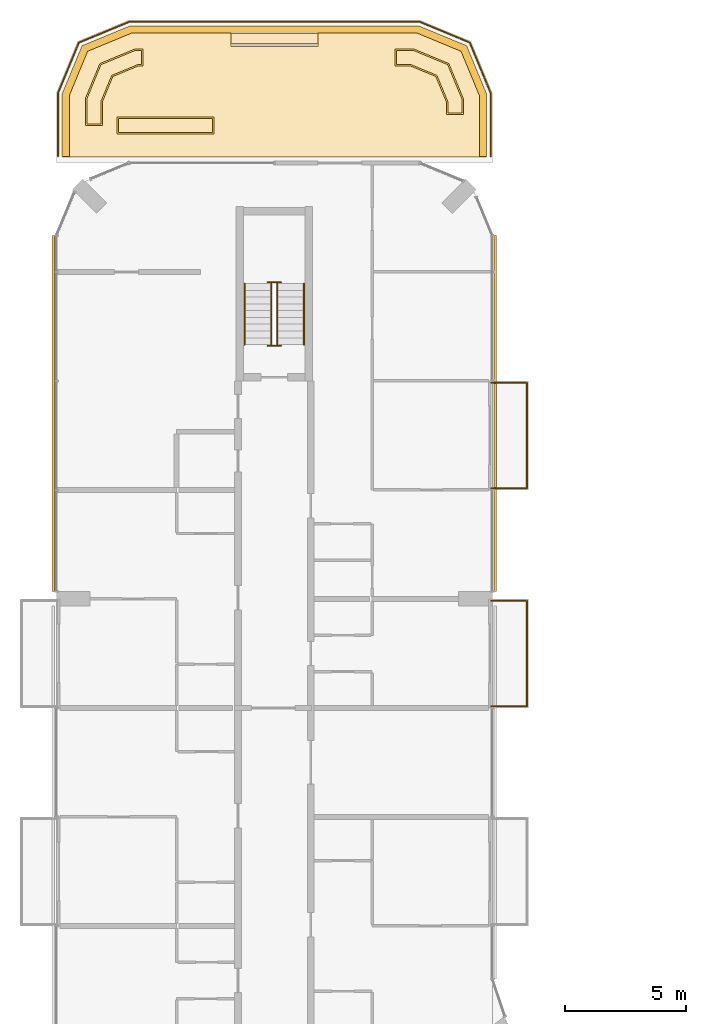
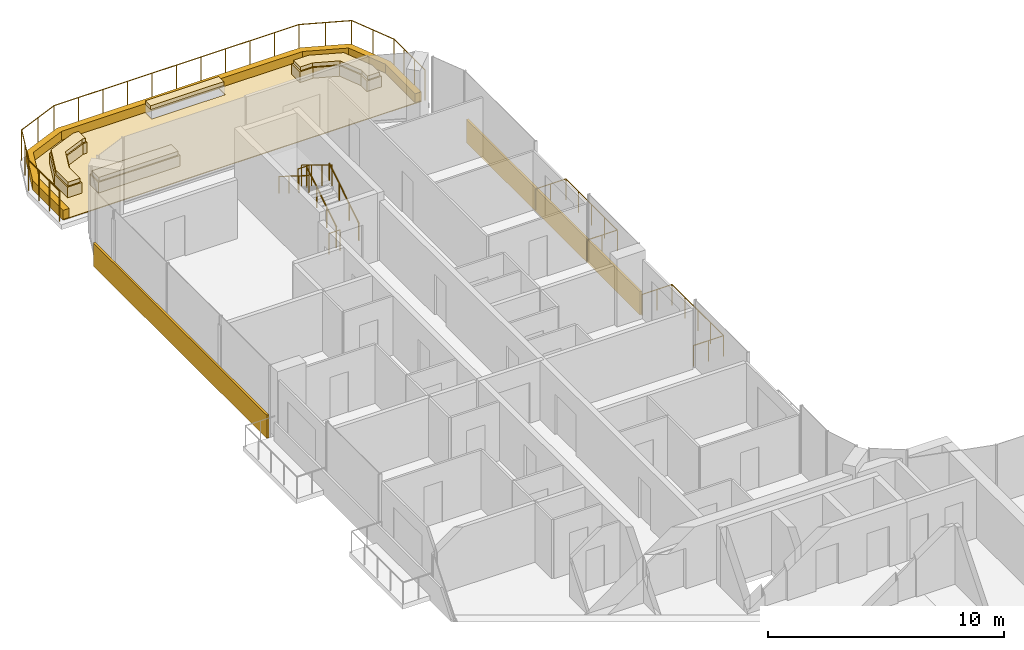
# One storey, part 17 of 17: 11 coverings, 9 railings.
"""IFC4 building model written with IfcOpenShell, lengths in metres."""

from ifc_helpers import new_model, si_unit, direction, frame, origin, origin_2d, place, context, subcontext, project, spatial, polyline, rectangle, circle, outline, extrude, material, layer, layer_set, type_object, element, save


model = new_model("IFC4")

# Units and contexts
model_context = context("Model", 3, precision=1e-05, world=origin(), true_north=direction((0.0, 1.0)))
body_context = subcontext(model_context, "Body", "Model", "MODEL_VIEW")
ifc_project = project(units=[si_unit("LENGTHUNIT", "METRE"), si_unit("AREAUNIT", "SQUARE_METRE"), si_unit("VOLUMEUNIT", "CUBIC_METRE"), si_unit("PLANEANGLEUNIT", "RADIAN"), si_unit("MASSUNIT", "GRAM", prefix="KILO")], contexts=[model_context])

# Site, building, storey
site_placement = place(None, origin())
site = spatial("IfcSite", under=ifc_project, at=site_placement, CompositionType="ELEMENT")
building_placement = place(site_placement, origin())
building = spatial("IfcBuilding", under=site, at=building_placement, Name="Plateau Cross Towers", CompositionType="ELEMENT")
storey_placement = place(building_placement, frame((0.0, 0.0, 225.89990234375)))
storey = spatial("IfcBuildingStorey", under=building, at=storey_placement, Name="L59", CompositionType="ELEMENT", Elevation=225.89990234375)

# Coverings
ifc_material_1 = material(Name="Porcelain paving slabs on pedestals")
ifc_layer_1 = layer(ifc_material_1, 0.0400390625)
ifc_layer_set_1 = layer_set([ifc_layer_1], Name="Porcelain paving slabs on pedestals")
covering_type_1 = type_object("IfcCoveringType", Name="Deck paving 40", PredefinedType="FLOORING", material=ifc_layer_set_1)
covering_1_placement = place(storey_placement, origin())
element("IfcCovering", 1, at=covering_1_placement, inside=storey, type_object=covering_type_1, Name="Deck paving 1", PredefinedType="FLOORING", context=body_context, shape_type="SweptSolid", body=[
    extrude(outline(polyline([(0.25, 56.850341796875), (1.070068359375, 58.830078125), (3.0498046875, 59.64990234375), (14.9501953125, 59.64990234375), (16.929931640625, 58.830078125), (17.75, 56.850341796875), (17.75, 54.25), (0.25, 54.25), (0.25, 56.850341796875)]), holes=[polyline([(7.20458984375, 59.4599609375), (7.20458984375, 58.81005859375), (10.79541015625, 58.81005859375), (10.79541015625, 59.4599609375), (7.20458984375, 59.4599609375)])]), origin(), (0.0, 0.0, 1.0), 0.0400390625),
])
ifc_material_2 = material(Name="Light precast concrete cladding C40/50", Category="concrete")
covering_type_2 = type_object("IfcCoveringType", Name="Deck planter trough cladding 700x550", PredefinedType="CLADDING", material=ifc_material_2)
covering_2_placement = place(storey_placement, frame((0.0, 0.0, 0.0400390625)))
element("IfcCovering", 2, at=covering_2_placement, inside=storey, type_object=covering_type_2, Name="Deck planter 1", PredefinedType="CLADDING", context=body_context, shape_type="SweptSolid", body=[
    extrude(outline(polyline([(1.199951171875, 56.661376953125), (1.797119140625, 58.102783203125), (3.23876953125, 58.699951171875), (3.5751953125, 58.699951171875), (3.5751953125, 58.0), (3.3779296875, 58.0), (2.332763671875, 57.567138671875), (1.89990234375, 56.52197265625), (1.89990234375, 55.550048828125), (1.199951171875, 55.550048828125), (1.199951171875, 56.661376953125)])), origin(), (0.0, 0.0, 1.0), 0.550048828125),
])
covering_3_placement = place(storey_placement, frame((0.0, 0.0, 0.0400390625)))
element("IfcCovering", 3, at=covering_3_placement, inside=storey, type_object=covering_type_2, Name="Deck planter 2", PredefinedType="CLADDING", context=body_context, shape_type="SweptSolid", body=[
    extrude(outline(polyline([(14.76123046875, 58.699951171875), (16.202880859375, 58.102783203125), (16.800048828125, 56.661376953125), (16.800048828125, 55.999755859375), (16.10009765625, 55.999755859375), (16.10009765625, 56.52197265625), (15.667236328125, 57.567138671875), (14.6220703125, 58.0), (13.97509765625, 58.0), (13.97509765625, 58.699951171875), (14.76123046875, 58.699951171875)])), origin(), (0.0, 0.0, 1.0), 0.550048828125),
])
covering_4_placement = place(storey_placement, frame((0.0, 0.0, 0.0400390625)))
element("IfcCovering", 4, at=covering_4_placement, inside=storey, type_object=covering_type_2, Name="Deck planter 3", PredefinedType="CLADDING", context=body_context, shape_type="SweptSolid", body=[
    extrude(outline(polyline([(2.499755859375, 55.199951171875), (2.499755859375, 55.89990234375), (6.499755859375, 55.89990234375), (6.499755859375, 55.199951171875), (2.499755859375, 55.199951171875)])), origin(), (0.0, 0.0, 1.0), 0.550048828125),
])

# Railings
ifc_material_3 = material(Name="Stainless steel and toughened glass", Category="steel")
railing_type_1 = type_object("IfcRailingType", Name="Glass balustrade guard 1100", PredefinedType="GUARDRAIL", material=ifc_material_3)
for number, where, name in (
    (5, (17.949951171875, 35.929931640625, 0.0), "Guard guard1"),
    (6, (17.949951171875, 44.929931640625, 0.0), "Guard guard1"),
):
    element("IfcRailing", number, at=place(storey_placement, frame(where)), inside=storey, type_object=railing_type_1, Name=name, PredefinedType="GUARDRAIL", context=body_context, shape_type="SweptSolid", body=[
        extrude(circle(Radius=0.02392578125, at=origin_2d()), frame((0.0, 0.0, 1.076171875), z_axis=(1.0, 0.0, 0.0), x_axis=(0.0, 1.0, 0.0)), (0.0, 0.0, 1.0), 1.47998046875),
        extrude(circle(Radius=0.02392578125, at=origin_2d()), frame((1.47998046875, 0.0, 1.076171875), z_axis=(0.0, -1.0, 0.0), x_axis=(1.0, 0.0, 0.0)), (0.0, 0.0, 1.0), 4.35986328125),
        extrude(circle(Radius=0.02392578125, at=origin_2d()), frame((1.47998046875, -4.35986328125, 1.076171875), z_axis=(-1.0, 0.0, 0.0), x_axis=(0.0, -1.0, 0.0)), (0.0, 0.0, 1.0), 1.47998046875),
        extrude(circle(Radius=0.02099609375, at=origin_2d()), origin(), (0.0, 0.0, 1.0), 1.052001953125),
        extrude(circle(Radius=0.02099609375, at=origin_2d()), frame((0.739990234375, 0.0, 0.0)), (0.0, 0.0, 1.0), 1.052001953125),
        extrude(circle(Radius=0.02099609375, at=origin_2d()), frame((1.47998046875, 0.0, 0.0)), (0.0, 0.0, 1.0), 1.052001953125),
        extrude(circle(Radius=0.02099609375, at=origin_2d()), frame((1.47998046875, -1.08984375, 0.0)), (0.0, 0.0, 1.0), 1.052001953125),
        extrude(circle(Radius=0.02099609375, at=origin_2d()), frame((1.47998046875, -2.179931640625, 0.0)), (0.0, 0.0, 1.0), 1.052001953125),
        extrude(circle(Radius=0.02099609375, at=origin_2d()), frame((1.47998046875, -3.27001953125, 0.0)), (0.0, 0.0, 1.0), 1.052001953125),
        extrude(circle(Radius=0.02099609375, at=origin_2d()), frame((1.47998046875, -4.35986328125, 0.0)), (0.0, 0.0, 1.0), 1.052001953125),
        extrude(circle(Radius=0.02099609375, at=origin_2d()), frame((0.739990234375, -4.35986328125, 0.0)), (0.0, 0.0, 1.0), 1.052001953125),
        extrude(circle(Radius=0.02099609375, at=origin_2d()), frame((0.0, -4.35986328125, 0.0)), (0.0, 0.0, 1.0), 1.052001953125),
    ])
railing_type_2 = type_object("IfcRailingType", Name="Glass balustrade guard 1600", PredefinedType="GUARDRAIL", material=ifc_material_3)
railing_1_placement = place(storey_placement, frame((0.070068359375, 54.27001953125, 0.0)))
element("IfcRailing", 7, at=railing_1_placement, inside=storey, type_object=railing_type_2, Name="Guard guard1", PredefinedType="GUARDRAIL", context=body_context, shape_type="SweptSolid", body=[
    extrude(circle(Radius=0.02392578125, at=origin_2d()), frame((0.0, 0.0, 1.576171875), z_axis=(0.0, 1.0, 0.0), x_axis=(-1.0, 0.0, 0.0)), (0.0, 0.0, 1.0), 2.615966796875),
    extrude(circle(Radius=0.02392578125, at=origin_2d()), frame((0.0, 2.615966796875, 1.576171875), z_axis=(0.382683520559, 0.92387949598, 0.0), x_axis=(-0.92387949598, 0.382683520559, 0.0)), (0.0, 0.0, 1.0), 2.25341796875),
    extrude(circle(Radius=0.02392578125, at=origin_2d()), frame((0.8623046875, 4.69775390625, 1.576171875), z_axis=(0.92386362646, 0.382721830713, 0.0), x_axis=(-0.382721830713, 0.92386362646, 0.0)), (0.0, 0.0, 1.0), 2.253173828125),
    extrude(circle(Radius=0.02392578125, at=origin_2d()), frame((2.94384765625, 5.56005859375, 1.576171875), z_axis=(1.0, 0.0, 0.0), x_axis=(0.0, 1.0, 0.0)), (0.0, 0.0, 1.0), 11.97216796875),
    extrude(circle(Radius=0.02392578125, at=origin_2d()), frame((14.916015625, 5.56005859375, 1.576171875), z_axis=(0.92386362646, -0.382721830713, 0.0), x_axis=(0.382721830713, 0.92386362646, 0.0)), (0.0, 0.0, 1.0), 2.253173828125),
    extrude(circle(Radius=0.02392578125, at=origin_2d()), frame((16.99755859375, 4.69775390625, 1.576171875), z_axis=(0.382683520559, -0.92387949598, 0.0), x_axis=(0.92387949598, 0.382683520559, 0.0)), (0.0, 0.0, 1.0), 2.25341796875),
    extrude(circle(Radius=0.02392578125, at=origin_2d()), frame((17.85986328125, 2.615966796875, 1.576171875), z_axis=(0.0, -1.0, 0.0), x_axis=(1.0, 0.0, 0.0)), (0.0, 0.0, 1.0), 2.615966796875),
    extrude(circle(Radius=0.02099609375, at=origin_2d()), origin(), (0.0, 0.0, 1.0), 1.552001953125),
    extrude(circle(Radius=0.02099609375, at=origin_2d()), frame((0.0, 0.8720703125, 0.0)), (0.0, 0.0, 1.0), 1.552001953125),
    extrude(circle(Radius=0.02099609375, at=origin_2d()), frame((0.0, 1.743896484375, 0.0)), (0.0, 0.0, 1.0), 1.552001953125),
    extrude(circle(Radius=0.02099609375, at=origin_2d()), frame((0.0, 2.615966796875, 0.0)), (0.0, 0.0, 1.0), 1.552001953125),
    extrude(circle(Radius=0.02099609375, at=origin_2d()), frame((0.43115234375, 3.65673828125, 0.0)), (0.0, 0.0, 1.0), 1.552001953125),
    extrude(circle(Radius=0.02099609375, at=origin_2d()), frame((0.8623046875, 4.69775390625, 0.0)), (0.0, 0.0, 1.0), 1.552001953125),
    extrude(circle(Radius=0.02099609375, at=origin_2d()), frame((1.903076171875, 5.12890625, 0.0)), (0.0, 0.0, 1.0), 1.552001953125),
    extrude(circle(Radius=0.02099609375, at=origin_2d()), frame((2.94384765625, 5.56005859375, 0.0)), (0.0, 0.0, 1.0), 1.552001953125),
    extrude(circle(Radius=0.02099609375, at=origin_2d()), frame((4.14111328125, 5.56005859375, 0.0)), (0.0, 0.0, 1.0), 1.552001953125),
    extrude(circle(Radius=0.02099609375, at=origin_2d()), frame((5.33837890625, 5.56005859375, 0.0)), (0.0, 0.0, 1.0), 1.552001953125),
    extrude(circle(Radius=0.02099609375, at=origin_2d()), frame((6.535400390625, 5.56005859375, 0.0)), (0.0, 0.0, 1.0), 1.552001953125),
    extrude(circle(Radius=0.02099609375, at=origin_2d()), frame((7.732666015625, 5.56005859375, 0.0)), (0.0, 0.0, 1.0), 1.552001953125),
    extrude(circle(Radius=0.02099609375, at=origin_2d()), frame((8.929931640625, 5.56005859375, 0.0)), (0.0, 0.0, 1.0), 1.552001953125),
    extrude(circle(Radius=0.02099609375, at=origin_2d()), frame((10.127197265625, 5.56005859375, 0.0)), (0.0, 0.0, 1.0), 1.552001953125),
    extrude(circle(Radius=0.02099609375, at=origin_2d()), frame((11.324462890625, 5.56005859375, 0.0)), (0.0, 0.0, 1.0), 1.552001953125),
    extrude(circle(Radius=0.02099609375, at=origin_2d()), frame((12.521484375, 5.56005859375, 0.0)), (0.0, 0.0, 1.0), 1.552001953125),
    extrude(circle(Radius=0.02099609375, at=origin_2d()), frame((13.71875, 5.56005859375, 0.0)), (0.0, 0.0, 1.0), 1.552001953125),
    extrude(circle(Radius=0.02099609375, at=origin_2d()), frame((14.916015625, 5.56005859375, 0.0)), (0.0, 0.0, 1.0), 1.552001953125),
    extrude(circle(Radius=0.02099609375, at=origin_2d()), frame((15.956787109375, 5.12890625, 0.0)), (0.0, 0.0, 1.0), 1.552001953125),
    extrude(circle(Radius=0.02099609375, at=origin_2d()), frame((16.99755859375, 4.69775390625, 0.0)), (0.0, 0.0, 1.0), 1.552001953125),
    extrude(circle(Radius=0.02099609375, at=origin_2d()), frame((17.4287109375, 3.65673828125, 0.0)), (0.0, 0.0, 1.0), 1.552001953125),
    extrude(circle(Radius=0.02099609375, at=origin_2d()), frame((17.85986328125, 2.615966796875, 0.0)), (0.0, 0.0, 1.0), 1.552001953125),
    extrude(circle(Radius=0.02099609375, at=origin_2d()), frame((17.85986328125, 1.743896484375, 0.0)), (0.0, 0.0, 1.0), 1.552001953125),
    extrude(circle(Radius=0.02099609375, at=origin_2d()), frame((17.85986328125, 0.8720703125, 0.0)), (0.0, 0.0, 1.0), 1.552001953125),
    extrude(circle(Radius=0.02099609375, at=origin_2d()), frame((17.85986328125, 0.0, 0.0)), (0.0, 0.0, 1.0), 1.552001953125),
])

# Coverings
ifc_material_4 = material(Name="Planting substrate and ground cover")
ifc_layer_2 = layer(ifc_material_4, 0.199951171875)
ifc_layer_set_2 = layer_set([ifc_layer_2], Name="Planting substrate and ground cover")
covering_type_3 = type_object("IfcCoveringType", Name="Planting bed 200", PredefinedType="FLOORING", material=ifc_layer_set_2)
covering_5_placement = place(storey_placement, frame((0.0, 0.0, 0.4501953125)))
element("IfcCovering", 8, at=covering_5_placement, inside=storey, type_object=covering_type_3, Name="Planting bed 1", PredefinedType="FLOORING", context=body_context, shape_type="SweptSolid", body=[
    extrude(outline(polyline([(10.79541015625, 59.35009765625), (10.79541015625, 58.919921875), (7.20458984375, 58.919921875), (7.20458984375, 59.35009765625), (10.79541015625, 59.35009765625)])), origin(), (0.0, 0.0, 1.0), 0.199951171875),
])
covering_6_placement = place(storey_placement, frame((0.0, 0.0, 0.590087890625)))
element("IfcCovering", 9, at=covering_6_placement, inside=storey, type_object=covering_type_3, Name="Deck planting bed 1", PredefinedType="FLOORING", context=body_context, shape_type="SweptSolid", body=[
    extrude(outline(polyline([(1.260009765625, 56.6494140625), (1.843017578125, 58.056884765625), (3.250732421875, 58.639892578125), (3.51513671875, 58.639892578125), (3.51513671875, 58.06005859375), (3.365966796875, 58.06005859375), (2.286865234375, 57.613037109375), (1.840087890625, 56.533935546875), (1.840087890625, 55.610107421875), (1.260009765625, 55.610107421875), (1.260009765625, 56.6494140625)])), origin(), (0.0, 0.0, 1.0), 0.199951171875),
])
covering_7_placement = place(storey_placement, frame((0.0, 0.0, 0.590087890625)))
element("IfcCovering", 10, at=covering_7_placement, inside=storey, type_object=covering_type_3, Name="Deck planting bed 2", PredefinedType="FLOORING", context=body_context, shape_type="SweptSolid", body=[
    extrude(outline(polyline([(14.749267578125, 58.639892578125), (16.156982421875, 58.056884765625), (16.739990234375, 56.6494140625), (16.739990234375, 56.059814453125), (16.159912109375, 56.059814453125), (16.159912109375, 56.533935546875), (15.713134765625, 57.613037109375), (14.634033203125, 58.06005859375), (14.03515625, 58.06005859375), (14.03515625, 58.639892578125), (14.749267578125, 58.639892578125)])), origin(), (0.0, 0.0, 1.0), 0.199951171875),
])
covering_8_placement = place(storey_placement, frame((0.0, 0.0, 0.590087890625)))
element("IfcCovering", 11, at=covering_8_placement, inside=storey, type_object=covering_type_3, Name="Deck planting bed 3", PredefinedType="FLOORING", context=body_context, shape_type="SweptSolid", body=[
    extrude(outline(polyline([(2.559814453125, 55.260009765625), (2.559814453125, 55.840087890625), (6.439697265625, 55.840087890625), (6.439697265625, 55.260009765625), (2.559814453125, 55.260009765625)])), origin(), (0.0, 0.0, 1.0), 0.199951171875),
])

# Railings
railing_type_3 = type_object("IfcRailingType", Name="RL-GUARD-1100", PredefinedType="GUARDRAIL", material=ifc_material_3)
railing_2_placement = place(storey_placement, frame((9.125, 46.5, 0.175048828125)))
element("IfcRailing", 12, at=railing_2_placement, inside=storey, type_object=railing_type_3, Name="L59 ES-N stair guard 1", PredefinedType="GUARDRAIL", context=body_context, shape_type="SweptSolid", body=[
    extrude(circle(Radius=0.02392578125, at=origin_2d()), frame((0.0, 0.0, 1.076171875), z_axis=(0.0, 0.848007534815, 0.529984170421), x_axis=(-1.0, 0.0, 0.0)), (0.0, 0.0, 1.0), 2.9716796875),
    extrude(circle(Radius=0.02099609375, at=origin_2d()), origin(), (0.0, 0.0, 1.0), 1.052001953125),
    extrude(circle(Radius=0.02099609375, at=origin_2d()), frame((0.0, 0.840087890625, 0.52490234375)), (0.0, 0.0, 1.0), 1.052001953125),
    extrude(circle(Radius=0.02099609375, at=origin_2d()), frame((0.0, 1.679931640625, 1.050048828125)), (0.0, 0.0, 1.0), 1.052001953125),
    extrude(circle(Radius=0.02099609375, at=origin_2d()), frame((0.0, 2.52001953125, 1.574951171875)), (0.0, 0.0, 1.0), 1.052001953125),
])
railing_3_placement = place(storey_placement, frame((9.27490234375, 49.070068359375, 1.75)))
element("IfcRailing", 13, at=railing_3_placement, inside=storey, type_object=railing_type_3, Name="L59 ES-N stair guard 2", PredefinedType="GUARDRAIL", context=body_context, shape_type="SweptSolid", body=[
    extrude(circle(Radius=0.02392578125, at=origin_2d()), frame((0.0, 0.0, 1.076171875), z_axis=(-1.0, 0.0, 0.0), x_axis=(0.0, -1.0, 0.0)), (0.0, 0.0, 1.0), 0.5498046875),
    extrude(circle(Radius=0.02099609375, at=origin_2d()), origin(), (0.0, 0.0, 1.0), 1.052001953125),
    extrude(circle(Radius=0.02099609375, at=origin_2d()), frame((-0.5498046875, 0.0, 0.0)), (0.0, 0.0, 1.0), 1.052001953125),
])
railing_4_placement = place(storey_placement, frame((8.875, 49.02001953125, 1.925048828125)))
element("IfcRailing", 14, at=railing_4_placement, inside=storey, type_object=railing_type_3, Name="L59 ES-N stair guard 3", PredefinedType="GUARDRAIL", context=body_context, shape_type="SweptSolid", body=[
    extrude(circle(Radius=0.02392578125, at=origin_2d()), frame((0.0, 0.0, 1.076171875), z_axis=(0.0, -0.852638500773, 0.522501279423), x_axis=(1.0, 0.0, 0.0)), (0.0, 0.0, 1.0), 3.01416015625),
    extrude(circle(Radius=0.02099609375, at=origin_2d()), origin(), (0.0, 0.0, 1.0), 1.052001953125),
    extrude(circle(Radius=0.02099609375, at=origin_2d()), frame((0.0, -0.856689453125, 0.52490234375)), (0.0, 0.0, 1.0), 1.052001953125),
    extrude(circle(Radius=0.02099609375, at=origin_2d()), frame((0.0, -1.71337890625, 1.050048828125)), (0.0, 0.0, 1.0), 1.052001953125),
    extrude(circle(Radius=0.02099609375, at=origin_2d()), frame((0.0, -2.570068359375, 1.574951171875)), (0.0, 0.0, 1.0), 1.052001953125),
])
railing_5_placement = place(storey_placement, frame((9.27490234375, 46.449951171875, 0.0)))
element("IfcRailing", 15, at=railing_5_placement, inside=storey, type_object=railing_type_3, Name="L59 ES-N stair guard 4", PredefinedType="GUARDRAIL", context=body_context, shape_type="SweptSolid", body=[
    extrude(circle(Radius=0.02392578125, at=origin_2d()), frame((0.0, 0.0, 1.076171875), z_axis=(-1.0, 0.0, 0.0), x_axis=(0.0, -1.0, 0.0)), (0.0, 0.0, 1.0), 0.5498046875),
    extrude(circle(Radius=0.02099609375, at=origin_2d()), origin(), (0.0, 0.0, 1.0), 1.052001953125),
    extrude(circle(Radius=0.02099609375, at=origin_2d()), frame((-0.5498046875, 0.0, 0.0)), (0.0, 0.0, 1.0), 1.052001953125),
])
ifc_material_5 = material(Name="Black anodised aluminium", Category="aluminium")
railing_type_4 = type_object("IfcRailingType", Name="RL-HANDRAIL-900", PredefinedType="HANDRAIL", material=ifc_material_5)
railing_6_placement = place(storey_placement, frame((10.22509765625, 46.5, 0.175048828125)))
element("IfcRailing", 16, at=railing_6_placement, inside=storey, type_object=railing_type_4, Name="L59 ES-N stair handrail 1", PredefinedType="HANDRAIL", context=body_context, shape_type="SweptSolid", body=[
    extrude(circle(Radius=0.02392578125, at=origin_2d()), frame((0.0, 0.0, 0.8759765625), z_axis=(0.0, 0.848007534815, 0.529984170421), x_axis=(-1.0, 0.0, 0.0)), (0.0, 0.0, 1.0), 2.9716796875),
    extrude(circle(Radius=0.02099609375, at=origin_2d()), origin(), (0.0, 0.0, 1.0), 0.851806640625),
    extrude(circle(Radius=0.02099609375, at=origin_2d()), frame((0.0, 0.840087890625, 0.52490234375)), (0.0, 0.0, 1.0), 0.851806640625),
    extrude(circle(Radius=0.02099609375, at=origin_2d()), frame((0.0, 1.679931640625, 1.050048828125)), (0.0, 0.0, 1.0), 0.851806640625),
    extrude(circle(Radius=0.02099609375, at=origin_2d()), frame((0.0, 2.52001953125, 1.574951171875)), (0.0, 0.0, 1.0), 0.851806640625),
])
railing_7_placement = place(storey_placement, frame((7.77490234375, 49.02001953125, 1.925048828125)))
element("IfcRailing", 17, at=railing_7_placement, inside=storey, type_object=railing_type_4, Name="L59 ES-N stair handrail 2", PredefinedType="HANDRAIL", context=body_context, shape_type="SweptSolid", body=[
    extrude(circle(Radius=0.02392578125, at=origin_2d()), frame((0.0, 0.0, 0.8759765625), z_axis=(0.0, -0.848007534815, 0.529984170421), x_axis=(1.0, 0.0, 0.0)), (0.0, 0.0, 1.0), 2.9716796875),
    extrude(circle(Radius=0.02099609375, at=origin_2d()), origin(), (0.0, 0.0, 1.0), 0.851806640625),
    extrude(circle(Radius=0.02099609375, at=origin_2d()), frame((0.0, -0.840087890625, 0.52490234375)), (0.0, 0.0, 1.0), 0.851806640625),
    extrude(circle(Radius=0.02099609375, at=origin_2d()), frame((0.0, -1.679931640625, 1.050048828125)), (0.0, 0.0, 1.0), 0.851806640625),
    extrude(circle(Radius=0.02099609375, at=origin_2d()), frame((0.0, -2.52001953125, 1.574951171875)), (0.0, 0.0, 1.0), 0.851806640625),
])

# Coverings
covering_type_4 = type_object("IfcCoveringType", Name="Sill kerb cladding 300x500", PredefinedType="CLADDING", material=ifc_material_2)
covering_9_placement = place(storey_placement, origin())
element("IfcCovering", 18, at=covering_9_placement, inside=storey, type_object=covering_type_4, Name="Sill kerb 1", PredefinedType="CLADDING", context=body_context, shape_type="SweptSolid", body=[
    extrude(outline(polyline([(0.239990234375, 56.852294921875), (1.062255859375, 58.837646484375), (3.0478515625, 59.659912109375), (14.9521484375, 59.659912109375), (16.937744140625, 58.837646484375), (17.760009765625, 56.852294921875), (17.760009765625, 54.27001953125), (17.4599609375, 54.27001953125), (17.4599609375, 56.79248046875), (16.7080078125, 58.60791015625), (14.892578125, 59.360107421875), (3.107421875, 59.360107421875), (1.2919921875, 58.60791015625), (0.5400390625, 56.79248046875), (0.5400390625, 54.27001953125), (0.239990234375, 54.27001953125), (0.239990234375, 56.852294921875)])), origin(), (0.0, 0.0, 1.0), 0.5),
])
ifc_material_6 = material(Name="Precast concrete cladding C40/50", Category="concrete")
ifc_layer_3 = layer(ifc_material_6, 0.10009765625)
ifc_layer_set_3 = layer_set([ifc_layer_3], Name="Precast concrete cladding C40/50")
covering_type_5 = type_object("IfcCoveringType", Name="Spandrel band cladding 100x1200", PredefinedType="CLADDING", material=ifc_layer_set_3)
for number, where, z_axis, x_axis, name in (
    (19, (18.1201171875, 43.64990234375, -0.25), (0.0, 0.0, 1.0), (0.0, 1.0, 0.0), "Spandrel band"),
    (20, (-0.1201171875, 43.64990234375, -0.25), (0.0, 0.0, 1.0), (0.0, -1.0, 0.0), "Spandrel band"),
):
    element("IfcCovering", number, at=place(storey_placement, frame(where, z_axis=z_axis, x_axis=x_axis)), inside=storey, type_object=covering_type_5, Name=name, PredefinedType="CLADDING", context=body_context, shape_type="SweptSolid", body=[
        extrude(rectangle(XDim=14.699951171875, YDim=0.10009765625, at=origin_2d()), origin(), (0.0, 0.0, 1.0), 1.199951171875),
    ])

save(model, "model.ifc")
